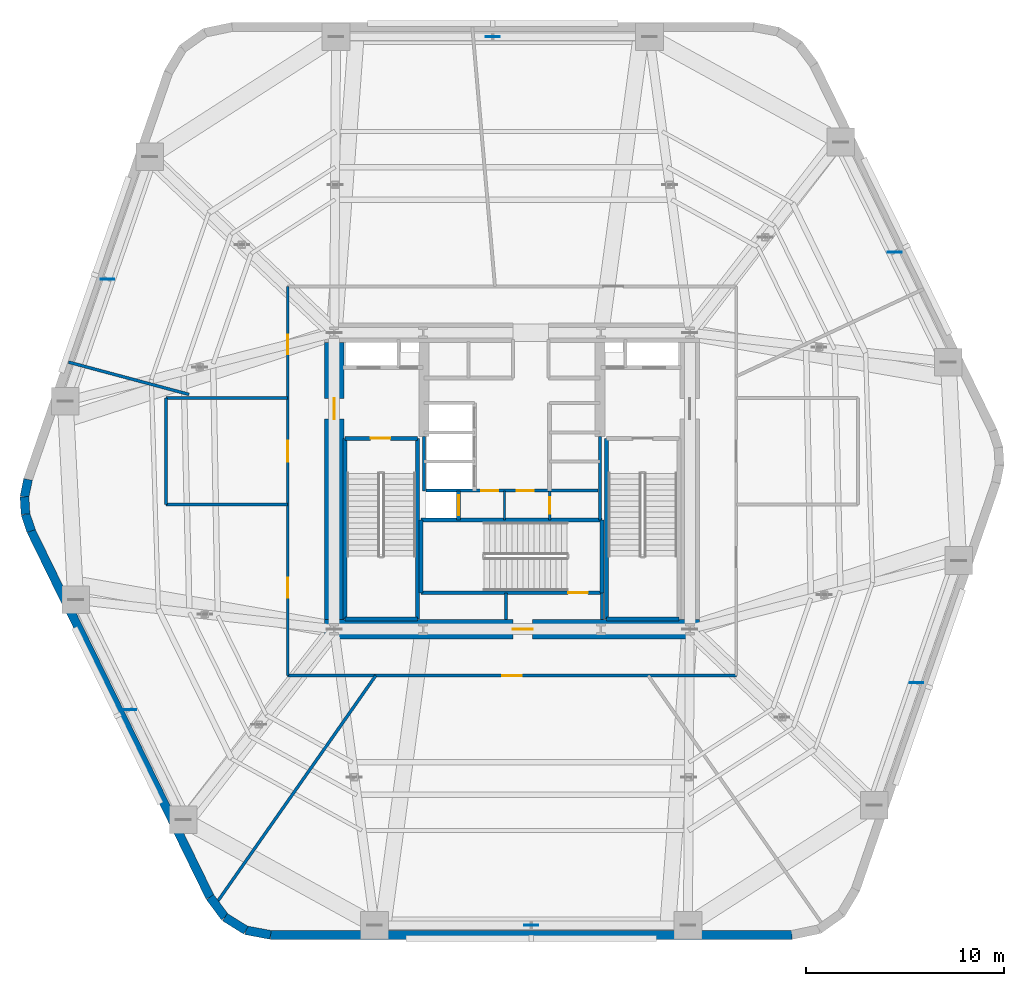
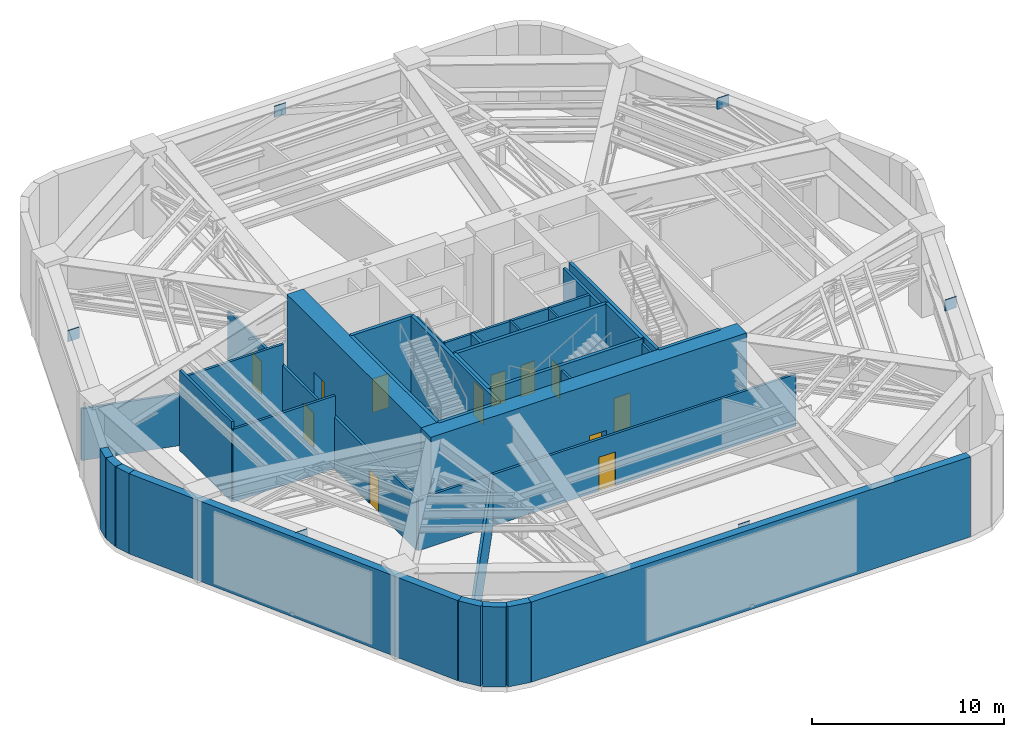
# One storey, part 6 of 11: 35 walls, 12 doors, 6 plates, 12 openings.
"""IFC4 building model written with IfcOpenShell, lengths in metres."""

from ifc_helpers import new_model, si_unit, direction, frame, frame_2d, origin, origin_2d, place, context, subcontext, project, spatial, rectangle, extrude, material, layer, layer_set, type_object, element, fill, save


model = new_model("IFC4")

# Units and contexts
model_context = context("Model", 3, precision=1e-05, world=origin(), true_north=direction((0.0, 1.0)))
body_context = subcontext(model_context, "Body", "Model", "MODEL_VIEW")
ifc_project = project(units=[si_unit("LENGTHUNIT", "METRE"), si_unit("AREAUNIT", "SQUARE_METRE"), si_unit("VOLUMEUNIT", "CUBIC_METRE"), si_unit("PLANEANGLEUNIT", "RADIAN"), si_unit("MASSUNIT", "GRAM", prefix="KILO")], contexts=[model_context])

# Site, building, storey
site_placement = place(None, origin())
site = spatial("IfcSite", under=ifc_project, at=site_placement, CompositionType="ELEMENT")
building_placement = place(site_placement, origin())
building = spatial("IfcBuilding", under=site, at=building_placement, Name="Kilnhurst Terrace Hotel", CompositionType="ELEMENT")
storey_placement = place(building_placement, frame((0.0, 0.0, 86.0)))
storey = spatial("IfcBuildingStorey", under=building, at=storey_placement, Name="L20", CompositionType="ELEMENT", Elevation=86.0)

# Plates
ifc_material_1 = material(Name="Steel ASTM A572 Grade 50", Category="steel")
ifc_layer_1 = layer(ifc_material_1, 0.050048828125, Name="Steel ASTM A572 Grade 50")
ifc_layer_set_1 = layer_set([ifc_layer_1], Name="Steel ASTM A572 Grade 50")
plate_type = type_object("IfcPlateType", Name="PLT-GUSSET-50", PredefinedType="USERDEFINED", material=ifc_layer_set_1)
for number, where, z_axis, x_axis, name in (
    (1, (0.97509765625, -22.47998046875, 4.39990234375), (0.0, 0.0, 1.0), (1.0, 0.0, 0.0), "L20 Belt Truss Apex Gusset Plate 1"),
    (2, (20.47412109375, -10.219970703125, 4.39990234375), (0.0, 0.0, 1.0), (1.0, 0.0, 0.0), "L20 Belt Truss Apex Gusset Plate 2"),
    (3, (19.364013671875, 11.5830078125, 4.39990234375), (0.0, 0.0, 1.0), (1.0, 0.0, 0.0), "L20 Belt Truss Apex Gusset Plate 3"),
    (4, (-0.97509765625, 22.47998046875, 4.39990234375), (0.0, 0.0, 1.0), (1.0, 0.0, 0.0), "L20 Belt Truss Apex Gusset Plate 4"),
    (5, (-20.47412109375, 10.219970703125, 4.39990234375), (0.0, 0.0, 1.0), (1.0, 0.0, 0.0), "L20 Belt Truss Apex Gusset Plate 5"),
    (6, (-19.364013671875, -11.5830078125, 4.39990234375), (0.0, 0.0, 1.0), (1.0, 0.0, 0.0), "L20 Belt Truss Apex Gusset Plate 6"),
):
    element("IfcPlate", number, at=place(storey_placement, frame(where, z_axis=z_axis, x_axis=x_axis)), inside=storey, type_object=plate_type, Name=name, ObjectType="GUSSET_PLATE", PredefinedType="USERDEFINED", context=body_context, shape_type="SweptSolid", body=[
        extrude(rectangle(XDim=0.699951171875, YDim=0.050048828125, at=origin_2d()), origin(), (0.0, 0.0, 1.0), 0.699951171875),
    ])

# Walls
ifc_material_2 = material(Name="Precast concrete C40/50", Category="concrete")
ifc_layer_2 = layer(ifc_material_2, 0.449951171875, Name="Precast concrete C40/50")
ifc_layer_set_2 = layer_set([ifc_layer_2], Name="Precast concrete C40/50")
wall_type_1 = type_object("IfcWallType", Name="WL-BRK-450", PredefinedType="SOLIDWALL", material=ifc_layer_set_2)
wall_1_placement = place(storey_placement, frame((-15.28369140625, -21.0625, 0.0), z_axis=(0.0, 0.0, 1.0), x_axis=(0.597595366449, -0.801797841104, 0.0)))
element("IfcWall", 7, at=wall_1_placement, inside=storey, type_object=wall_type_1, Name="L20 Rounded Corner Brick Wall C1.1", PredefinedType="SOLIDWALL", context=body_context, shape_type="SweptSolid", body=[
    extrude(rectangle(XDim=1.2685546875, YDim=0.449951171875, at=frame_2d((0.63427734375, 0.0))), origin(), (0.0, 0.0, 1.0), 5.10009765625),
])
wall_2_placement = place(storey_placement, frame((-14.525634765625, -22.07958984375, 0.0), z_axis=(0.0, 0.0, 1.0), x_axis=(0.848185203596, -0.529699783275, 0.0)))
element("IfcWall", 8, at=wall_2_placement, inside=storey, type_object=wall_type_1, Name="L20 Rounded Corner Brick Wall C1.2", PredefinedType="SOLIDWALL", context=body_context, shape_type="SweptSolid", body=[
    extrude(rectangle(XDim=1.247314453125, YDim=0.449951171875, at=frame_2d((0.62353515625, 0.0))), origin(), (0.0, 0.0, 1.0), 5.10009765625),
])
wall_3_placement = place(storey_placement, frame((-13.4677734375, -22.740234375, 0.0), z_axis=(0.0, 0.0, 1.0), x_axis=(0.982717174228, -0.185113358451, 0.0)))
element("IfcWall", 9, at=wall_3_placement, inside=storey, type_object=wall_type_1, Name="L20 Rounded Corner Brick Wall C1.3", PredefinedType="SOLIDWALL", context=body_context, shape_type="SweptSolid", body=[
    extrude(rectangle(XDim=1.268798828125, YDim=0.449951171875, at=frame_2d((0.63427734375, 0.0))), origin(), (0.0, 0.0, 1.0), 5.10009765625),
])
wall_4_placement = place(storey_placement, frame((-24.49560546875, 0.07666015625, 0.0), z_axis=(0.0, 0.0, 1.0), x_axis=(-0.199570594521, -0.979883451132, 0.0)))
element("IfcWall", 10, at=wall_4_placement, inside=storey, type_object=wall_type_1, Name="L20 Rounded Corner Brick Wall C6.1", PredefinedType="SOLIDWALL", context=body_context, shape_type="SweptSolid", body=[
    extrude(rectangle(XDim=0.896728515625, YDim=0.449951171875, at=frame_2d((0.4482421875, 0.0))), origin(), (0.0, 0.0, 1.0), 5.10009765625),
])
wall_5_placement = place(storey_placement, frame((-24.674560546875, -0.802001953125, 0.0), z_axis=(0.0, 0.0, 1.0), x_axis=(0.061188874166, -0.998126205286, 0.0)))
element("IfcWall", 11, at=wall_5_placement, inside=storey, type_object=wall_type_1, Name="L20 Rounded Corner Brick Wall C6.2", PredefinedType="SOLIDWALL", context=body_context, shape_type="SweptSolid", body=[
    extrude(rectangle(XDim=0.8818359375, YDim=0.449951171875, at=frame_2d((0.44091796875, 0.0))), origin(), (0.0, 0.0, 1.0), 5.10009765625),
])
wall_6_placement = place(storey_placement, frame((-24.62060546875, -1.68212890625, 0.0), z_axis=(0.0, 0.0, 1.0), x_axis=(0.317697451681, -0.948192137278, 0.0)))
element("IfcWall", 12, at=wall_6_placement, inside=storey, type_object=wall_type_1, Name="L20 Rounded Corner Brick Wall C6.3", PredefinedType="SOLIDWALL", context=body_context, shape_type="SweptSolid", body=[
    extrude(rectangle(XDim=0.896728515625, YDim=0.449951171875, at=frame_2d((0.4482421875, 0.0))), origin(), (0.0, 0.0, 1.0), 5.10009765625),
])
wall_7_placement = place(storey_placement, frame((-12.220947265625, -22.97509765625, 0.0), z_axis=(0.0, 0.0, 1.0), x_axis=(1.0, 0.0, 0.0)))
element("IfcWall", 13, at=wall_7_placement, inside=storey, type_object=wall_type_1, Name="L20 Exterior Brick Facade Wall F1", PredefinedType="SOLIDWALL", context=body_context, shape_type="SweptSolid", body=[
    extrude(rectangle(XDim=26.38916015625, YDim=0.449951171875, at=frame_2d((13.194580078125, 0.0))), origin(), (0.0, 0.0, 1.0), 5.10009765625),
])
wall_8_placement = place(storey_placement, frame((-24.335693359375, -2.532470703125, 0.0), z_axis=(0.0, 0.0, 1.0), x_axis=(0.438931326393, -0.898520612291, 0.0)))
element("IfcWall", 14, at=wall_8_placement, inside=storey, type_object=wall_type_1, Name="L20 Exterior Brick Facade Wall F6", PredefinedType="SOLIDWALL", context=body_context, shape_type="SweptSolid", body=[
    extrude(rectangle(XDim=20.622802734375, YDim=0.449951171875, at=frame_2d((10.3115234375, 0.0))), origin(), (0.0, 0.0, 1.0), 5.10009765625),
])

# Wall, openings, doors
ifc_material_3 = material(Name="Acoustic Double-Gypsum Corridor Partition Assembly")
ifc_layer_3 = layer(ifc_material_3, 0.14990234375, Name="Acoustic Double-Gypsum Corridor Partition Assembly")
ifc_layer_set_3 = layer_set([ifc_layer_3], Name="Acoustic Double-Gypsum Corridor Partition Assembly")
wall_type_2 = type_object("IfcWallType", Name="WL-COR-150", PredefinedType="PARTITIONING", material=ifc_layer_set_3)
wall_9_placement = place(storey_placement, frame((-11.35009765625, -9.85009765625, 0.0), z_axis=(0.0, 0.0, 1.0), x_axis=(0.0, 1.0, 0.0)))
wall_9 = element("IfcWall", 15, at=wall_9_placement, inside=storey, type_object=wall_type_2, Name="L20 Interior Wall WL-L20-COR-01", PredefinedType="PARTITIONING", context=body_context, shape_type="SweptSolid", body=[
    extrude(rectangle(XDim=19.7001953125, YDim=0.14990234375, at=frame_2d((9.85009765625, 0.0))), origin(), (0.0, 0.0, 1.0), 3.2900390625),
])
opening_1_placement = place(wall_9_placement, frame((10.824951171875, 0.0, 0.0)))
opening_1 = element("IfcOpeningElement", 16, at=opening_1_placement, cuts=wall_9, Name="Opening D-90A", PredefinedType="OPENING", context=body_context, shape_type="SweptSolid", body=[
    extrude(rectangle(XDim=1.050048828125, YDim=2.14990234375, at=frame_2d((0.52490234375, 1.074951171875))), frame((0.0, 0.0849609375, 0.0), z_axis=(0.0, -1.0, 0.0), x_axis=(1.0, 0.0, 0.0)), (0.0, 0.0, 1.0), 0.169921875),
])
opening_2_placement = place(wall_9_placement, frame((16.2548828125, 0.0, 0.0)))
opening_2 = element("IfcOpeningElement", 17, at=opening_2_placement, cuts=wall_9, Name="Opening D-90B", PredefinedType="OPENING", context=body_context, shape_type="SweptSolid", body=[
    extrude(rectangle(XDim=1.0, YDim=2.14990234375, at=frame_2d((0.5, 1.074951171875))), frame((0.0, 0.0849609375, 0.0), z_axis=(0.0, -1.0, 0.0), x_axis=(1.0, 0.0, 0.0)), (0.0, 0.0, 1.0), 0.169921875),
])
opening_3_placement = place(wall_9_placement, frame((3.945068359375, 0.0, 0.0)))
opening_3 = element("IfcOpeningElement", 18, at=opening_3_placement, cuts=wall_9, Name="Opening D-90B", PredefinedType="OPENING", context=body_context, shape_type="SweptSolid", body=[
    extrude(rectangle(XDim=1.0, YDim=2.14990234375, at=frame_2d((0.5, 1.074951171875))), frame((0.0, 0.0849609375, 0.0), z_axis=(0.0, -1.0, 0.0), x_axis=(1.0, 0.0, 0.0)), (0.0, 0.0, 1.0), 0.169921875),
])
ifc_material_4 = material(Name="Painted Hollow Metal Steel ASTM A36 Fire Door", Category="steel")
door_type_1 = type_object("IfcDoorType", Name="DR-FD90-1000", OperationType="NOTDEFINED", PredefinedType="DOOR", material=ifc_material_4)
door_1_placement = place(opening_2_placement, origin())
door_1 = element("IfcDoor", 19, at=door_1_placement, inside=storey, type_object=door_type_1, Name="L20 Air Handling and Smoke Control Mechanical Room Door", OperationType="SINGLE_SWING_RIGHT", OverallHeight=2.14990234375, OverallWidth=1.0, PredefinedType="DOOR", context=body_context, shape_type="SweptSolid", body=[
    extrude(rectangle(XDim=1.0, YDim=2.14990234375, at=frame_2d((0.5, 1.074951171875))), frame((0.0, 0.02490234375, 0.0), z_axis=(0.0, -1.0, 0.0), x_axis=(1.0, 0.0, 0.0)), (0.0, 0.0, 1.0), 0.050048828125),
])
fill(opening_2, door_1)
door_2_placement = place(opening_3_placement, origin())
door_2 = element("IfcDoor", 20, at=door_2_placement, inside=storey, type_object=door_type_1, Name="L20 Domestic Water Booster and Fire Pump Room Door", OperationType="SINGLE_SWING_LEFT", OverallHeight=2.14990234375, OverallWidth=1.0, PredefinedType="DOOR", context=body_context, shape_type="SweptSolid", body=[
    extrude(rectangle(XDim=1.0, YDim=2.14990234375, at=frame_2d((0.5, 1.074951171875))), frame((0.0, 0.02490234375, 0.0), z_axis=(0.0, -1.0, 0.0), x_axis=(1.0, 0.0, 0.0)), (0.0, 0.0, 1.0), 0.050048828125),
])
fill(opening_3, door_2)
door_type_2 = type_object("IfcDoorType", Name="DR-FD90-1050", OperationType="NOTDEFINED", PredefinedType="DOOR", material=ifc_material_4)
door_3_placement = place(opening_1_placement, origin())
door_3 = element("IfcDoor", 21, at=door_3_placement, inside=storey, type_object=door_type_2, Name="L20 West Area of Refuge Door", OperationType="SINGLE_SWING_LEFT", OverallHeight=2.14990234375, OverallWidth=1.050048828125, PredefinedType="DOOR", context=body_context, shape_type="SweptSolid", body=[
    extrude(rectangle(XDim=1.050048828125, YDim=2.14990234375, at=frame_2d((0.52490234375, 1.074951171875))), frame((0.0, 0.02490234375, 0.0), z_axis=(0.0, -1.0, 0.0), x_axis=(1.0, 0.0, 0.0)), (0.0, 0.0, 1.0), 0.050048828125),
])
fill(opening_1, door_3)

# Wall, opening, door
wall_10_placement = place(storey_placement, frame((11.35009765625, -9.85009765625, 0.0), z_axis=(0.0, 0.0, 1.0), x_axis=(-1.0, 0.0, 0.0)))
wall_10 = element("IfcWall", 22, at=wall_10_placement, inside=storey, type_object=wall_type_2, Name="L20 Interior Wall WL-L20-COR-04", PredefinedType="PARTITIONING", context=body_context, shape_type="SweptSolid", body=[
    extrude(rectangle(XDim=22.7001953125, YDim=0.14990234375, at=frame_2d((11.35009765625, 0.0))), origin(), (0.0, 0.0, 1.0), 3.2900390625),
])
opening_4_placement = place(wall_10_placement, frame((10.85009765625, 0.0, 0.0)))
opening_4 = element("IfcOpeningElement", 23, at=opening_4_placement, cuts=wall_10, Name="Opening D-90B", PredefinedType="OPENING", context=body_context, shape_type="SweptSolid", body=[
    extrude(rectangle(XDim=1.0, YDim=2.14990234375, at=frame_2d((0.5, 1.074951171875))), frame((0.0, 0.0849609375, 0.0), z_axis=(0.0, -1.0, 0.0), x_axis=(1.0, 0.0, 0.0)), (0.0, 0.0, 1.0), 0.169921875),
])
door_4_placement = place(opening_4_placement, origin())
door_4 = element("IfcDoor", 24, at=door_4_placement, inside=storey, type_object=door_type_1, Name="L20 High Rise Electrical Switchgear and Transformer Room Door", OperationType="SINGLE_SWING_RIGHT", OverallHeight=2.14990234375, OverallWidth=1.0, PredefinedType="DOOR", context=body_context, shape_type="SweptSolid", body=[
    extrude(rectangle(XDim=1.0, YDim=2.14990234375, at=frame_2d((0.5, 1.074951171875))), frame((0.0, 0.02490234375, 0.0), z_axis=(0.0, -1.0, 0.0), x_axis=(1.0, 0.0, 0.0)), (0.0, 0.0, 1.0), 0.050048828125),
])
fill(opening_4, door_4)

# Walls
for number, where, z_axis, x_axis, name in (
    (25, (-17.5, -1.199951171875, 0.0), (0.0, 0.0, 1.0), (1.0, 0.0, 0.0), "L20 Interior Wall WL-L20-REF-W-S"),
    (26, (-17.5, 4.199951171875, 0.0), (0.0, 0.0, 1.0), (1.0, 0.0, 0.0), "L20 Interior Wall WL-L20-REF-W-N"),
):
    element("IfcWall", number, at=place(storey_placement, frame(where, z_axis=z_axis, x_axis=x_axis)), inside=storey, type_object=wall_type_2, Name=name, PredefinedType="PARTITIONING", context=body_context, shape_type="SweptSolid", body=[
        extrude(rectangle(XDim=6.14990234375, YDim=0.14990234375, at=frame_2d((3.074951171875, 0.0))), origin(), (0.0, 0.0, 1.0), 4.62646484375),
    ])
wall_11_placement = place(storey_placement, frame((-17.5, -1.199951171875, 0.0), z_axis=(0.0, 0.0, 1.0), x_axis=(0.0, 1.0, 0.0)))
element("IfcWall", 27, at=wall_11_placement, inside=storey, type_object=wall_type_2, Name="L20 Interior Wall WL-L20-REF-W-OUT", PredefinedType="PARTITIONING", context=body_context, shape_type="SweptSolid", body=[
    extrude(rectangle(XDim=5.39990234375, YDim=0.14990234375, at=frame_2d((2.699951171875, 0.0))), origin(), (0.0, 0.0, 1.0), 5.10009765625),
])
wall_12_placement = place(storey_placement, frame((-16.346435546875, 4.3798828125, 0.0), z_axis=(0.0, 0.0, 1.0), x_axis=(-0.965923723189, 0.258826893852, 0.0)))
element("IfcWall", 28, at=wall_12_placement, inside=storey, type_object=wall_type_2, Name="L20 Interior Wall WL-L20-PDIV-3-1", PredefinedType="PARTITIONING", context=body_context, shape_type="SweptSolid", body=[
    extrude(rectangle(XDim=6.316162109375, YDim=0.14990234375, at=frame_2d((3.158203125, 0.0))), origin(), (0.0, 0.0, 1.0), 3.2900390625),
])
wall_13_placement = place(storey_placement, frame((-6.89697265625, -9.85009765625, 0.0), z_axis=(0.0, 0.0, 1.0), x_axis=(-0.573584304237, -0.81914653508, 0.0)))
element("IfcWall", 29, at=wall_13_placement, inside=storey, type_object=wall_type_2, Name="L20 Interior Wall WL-L20-PDIV-4-1", PredefinedType="PARTITIONING", context=body_context, shape_type="SweptSolid", body=[
    extrude(rectangle(XDim=13.9716796875, YDim=0.14990234375, at=frame_2d((6.98583984375, 0.0))), origin(), (0.0, 0.0, 1.0), 3.2900390625),
])

# Wall, opening, door
ifc_material_5 = material(Name="Concrete C80/95", Category="concrete")
ifc_layer_4 = layer(ifc_material_5, 1.0, Name="Concrete C80/95")
ifc_layer_set_4 = layer_set([ifc_layer_4], Name="Concrete C80/95")
wall_type_3 = type_object("IfcWallType", Name="WL-CORE-1000", PredefinedType="SHEAR", material=ifc_layer_set_4)
wall_14_placement = place(storey_placement, frame((-9.5, -7.5, 0.0), z_axis=(0.0, 0.0, 1.0), x_axis=(1.0, 0.0, 0.0)))
wall_14 = element("IfcWall", 30, at=wall_14_placement, inside=storey, type_object=wall_type_3, Name="L20 Core South Shear Wall", PredefinedType="SHEAR", context=body_context, shape_type="SweptSolid", body=[
    extrude(rectangle(XDim=19.0, YDim=1.0, at=frame_2d((9.5, 0.0))), origin(), (0.0, 0.0, 1.0), 5.39990234375),
])
opening_5_placement = place(wall_14_placement, frame((9.550048828125, 0.0, 0.0)))
opening_5 = element("IfcOpeningElement", 31, at=opening_5_placement, cuts=wall_14, Name="Opening D-90B", PredefinedType="OPENING", context=body_context, shape_type="SweptSolid", body=[
    extrude(rectangle(XDim=1.0, YDim=2.14990234375, at=frame_2d((0.5, 1.074951171875))), frame((0.0, 0.510009765625, 0.0), z_axis=(0.0, -1.0, 0.0), x_axis=(1.0, 0.0, 0.0)), (0.0, 0.0, 1.0), 1.02001953125),
])
door_5_placement = place(opening_5_placement, origin())
door_5 = element("IfcDoor", 32, at=door_5_placement, inside=storey, type_object=door_type_1, Name="L20 Stair ST-3 Corridor Door", OperationType="SINGLE_SWING_RIGHT", OverallHeight=2.14990234375, OverallWidth=1.0, PredefinedType="DOOR", context=body_context, shape_type="SweptSolid", body=[
    extrude(rectangle(XDim=1.0, YDim=2.14990234375, at=frame_2d((0.5, 1.074951171875))), frame((0.0, 0.02490234375, 0.0), z_axis=(0.0, -1.0, 0.0), x_axis=(1.0, 0.0, 0.0)), (0.0, 0.0, 1.0), 0.050048828125),
])
fill(opening_5, door_5)

wall_15_placement = place(storey_placement, frame((-9.0, -7.0, 0.0), z_axis=(0.0, 0.0, 1.0), x_axis=(0.0, 1.0, 0.0)))
wall_15 = element("IfcWall", 33, at=wall_15_placement, inside=storey, type_object=wall_type_3, Name="L20 Core West Shear Wall", PredefinedType="SHEAR", context=body_context, shape_type="SweptSolid", body=[
    extrude(rectangle(XDim=14.0, YDim=1.0, at=frame_2d((7.0, 0.0))), origin(), (0.0, 0.0, 1.0), 5.39990234375),
])
opening_6_placement = place(wall_15_placement, frame((10.125, 0.0, 0.0)))
opening_6 = element("IfcOpeningElement", 34, at=opening_6_placement, cuts=wall_15, Name="Opening D-90A", PredefinedType="OPENING", context=body_context, shape_type="SweptSolid", body=[
    extrude(rectangle(XDim=1.050048828125, YDim=2.14990234375, at=frame_2d((0.52490234375, 1.074951171875))), frame((0.0, 0.510009765625, 0.0), z_axis=(0.0, -1.0, 0.0), x_axis=(1.0, 0.0, 0.0)), (0.0, 0.0, 1.0), 1.02001953125),
])
door_6_placement = place(opening_6_placement, origin())
door_6 = element("IfcDoor", 35, at=door_6_placement, inside=storey, type_object=door_type_2, Name="L20 West Firefighting Lobby Door", OperationType="SINGLE_SWING_RIGHT", OverallHeight=2.14990234375, OverallWidth=1.050048828125, PredefinedType="DOOR", context=body_context, shape_type="SweptSolid", body=[
    extrude(rectangle(XDim=1.050048828125, YDim=2.14990234375, at=frame_2d((0.52490234375, 1.074951171875))), frame((0.0, 0.02490234375, 0.0), z_axis=(0.0, -1.0, 0.0), x_axis=(1.0, 0.0, 0.0)), (0.0, 0.0, 1.0), 0.050048828125),
])
fill(opening_6, door_6)

# Wall
ifc_material_6 = material(Name="120 mm Moisture-Resistant Tile-Backed Bathroom Partition")
ifc_layer_5 = layer(ifc_material_6, 0.1201171875, Name="120 mm Moisture-Resistant Tile-Backed Bathroom Partition")
ifc_layer_set_5 = layer_set([ifc_layer_5], Name="120 mm Moisture-Resistant Tile-Backed Bathroom Partition")
wall_type_4 = type_object("IfcWallType", Name="WL-PART-120", PredefinedType="PARTITIONING", material=ifc_layer_set_5)
wall_16_placement = place(storey_placement, frame((-0.3798828125, -1.971923828125, 0.0), z_axis=(0.0, 0.0, 1.0), x_axis=(0.0, 1.0, 0.0)))
element("IfcWall", 36, at=wall_16_placement, inside=storey, type_object=wall_type_4, Name="L20 Interior Wall WL-L20-BOH-C1", PredefinedType="PARTITIONING", context=body_context, shape_type="SweptSolid", body=[
    extrude(rectangle(XDim=1.471923828125, YDim=0.1201171875, at=frame_2d((0.73583984375, 0.0))), origin(), (0.0, 0.0, 1.0), 5.10009765625),
])

# Wall, opening, door
wall_17_placement = place(storey_placement, frame((1.919921875, -1.971923828125, 0.0), z_axis=(0.0, 0.0, 1.0), x_axis=(0.0, 1.0, 0.0)))
wall_17 = element("IfcWall", 37, at=wall_17_placement, inside=storey, type_object=wall_type_4, Name="L20 Interior Wall WL-L20-BOH-C2", PredefinedType="PARTITIONING", context=body_context, shape_type="SweptSolid", body=[
    extrude(rectangle(XDim=1.471923828125, YDim=0.1201171875, at=frame_2d((0.73583984375, 0.0))), origin(), (0.0, 0.0, 1.0), 5.10009765625),
])
opening_7_placement = place(wall_17_placement, frame((0.300048828125, 0.0, 0.0)))
opening_7 = element("IfcOpeningElement", 38, at=opening_7_placement, cuts=wall_17, Name="Opening D-08A", PredefinedType="OPENING", context=body_context, shape_type="SweptSolid", body=[
    extrude(rectangle(XDim=0.85009765625, YDim=2.030029296875, at=frame_2d((0.425048828125, 1.01513671875))), frame((0.0, 0.070068359375, 0.0), z_axis=(0.0, -1.0, 0.0), x_axis=(1.0, 0.0, 0.0)), (0.0, 0.0, 1.0), 0.14013671875),
])
ifc_material_7 = material(Name="Moisture-Resistant Lacquered En-suite Bathroom Door")
door_type_3 = type_object("IfcDoorType", Name="DR-INT-850", OperationType="NOTDEFINED", PredefinedType="DOOR", material=ifc_material_7)
door_7_placement = place(opening_7_placement, origin())
door_7 = element("IfcDoor", 39, at=door_7_placement, inside=storey, type_object=door_type_3, Name="L20 Staff Restroom Door", OperationType="SINGLE_SWING_RIGHT", OverallHeight=2.030029296875, OverallWidth=0.85009765625, PredefinedType="DOOR", context=body_context, shape_type="SweptSolid", body=[
    extrude(rectangle(XDim=0.85009765625, YDim=2.030029296875, at=frame_2d((0.425048828125, 1.01513671875))), frame((0.0, 0.02490234375, 0.0), z_axis=(0.0, -1.0, 0.0), x_axis=(1.0, 0.0, 0.0)), (0.0, 0.0, 1.0), 0.050048828125),
])
fill(opening_7, door_7)

# Walls
ifc_material_8 = material(Name="Fire-Rated Gypsum Shaftliner Assembly")
ifc_layer_6 = layer(ifc_material_8, 0.14990234375, Name="Fire-Rated Gypsum Shaftliner Assembly")
ifc_layer_set_6 = layer_set([ifc_layer_6], Name="Fire-Rated Gypsum Shaftliner Assembly")
wall_type_5 = type_object("IfcWallType", Name="WL-SHAFT-150", PredefinedType="PARTITIONING", material=ifc_layer_set_6)
for number, where, z_axis, x_axis, name in (
    (40, (-0.300048828125, -7.02001953125, 0.0), (0.0, 0.0, 1.0), (0.0, 1.0, 0.0), "L20 Interior Wall WL-L20-ST3-PSGW"),
    (41, (4.55810546875, -7.02001953125, 0.0), (0.0, 0.0, 1.0), (0.0, 1.0, 0.0), "L20 Interior Wall WL-L20-ST3-PSGE"),
):
    element("IfcWall", number, at=place(storey_placement, frame(where, z_axis=z_axis, x_axis=x_axis)), inside=storey, type_object=wall_type_5, Name=name, PredefinedType="PARTITIONING", context=body_context, shape_type="SweptSolid", body=[
        extrude(rectangle(XDim=1.362060546875, YDim=0.14990234375, at=frame_2d((0.68115234375, 0.0))), origin(), (0.0, 0.0, 1.0), 5.10009765625),
    ])
wall_18_placement = place(storey_placement, frame((-4.449951171875, -0.5, 0.0), z_axis=(0.0, 0.0, 1.0), x_axis=(0.0, 1.0, 0.0)))
element("IfcWall", 42, at=wall_18_placement, inside=storey, type_object=wall_type_5, Name="L20 Interior Wall WL-L20-XLOB-W", PredefinedType="PARTITIONING", context=body_context, shape_type="SweptSolid", body=[
    extrude(rectangle(XDim=2.75, YDim=0.14990234375, at=frame_2d((1.375, 0.0))), origin(), (0.0, 0.0, 1.0), 5.10009765625),
])
wall_19_placement = place(storey_placement, frame((4.449951171875, -1.971923828125, 0.0), z_axis=(0.0, 0.0, 1.0), x_axis=(0.0, 1.0, 0.0)))
element("IfcWall", 43, at=wall_19_placement, inside=storey, type_object=wall_type_5, Name="L20 Interior Wall WL-L20-XLOB-E", PredefinedType="PARTITIONING", context=body_context, shape_type="SweptSolid", body=[
    extrude(rectangle(XDim=4.221923828125, YDim=0.14990234375, at=frame_2d((2.11083984375, 0.0))), origin(), (0.0, 0.0, 1.0), 5.10009765625),
])

# Wall, openings, doors
wall_20_placement = place(storey_placement, frame((-4.360107421875, -0.489990234375, 0.0), z_axis=(0.0, 0.0, 1.0), x_axis=(1.0, 0.0, 0.0)))
wall_20 = element("IfcWall", 44, at=wall_20_placement, inside=storey, type_object=wall_type_5, Name="L20 Interior Wall WL-L20-BOH-N", PredefinedType="PARTITIONING", context=body_context, shape_type="SweptSolid", body=[
    extrude(rectangle(XDim=8.72021484375, YDim=0.14990234375, at=frame_2d((4.360107421875, 0.0))), origin(), (0.0, 0.0, 1.0), 5.10009765625),
])
opening_8_placement = place(wall_20_placement, frame((2.81005859375, 0.0, 0.0)))
opening_8 = element("IfcOpeningElement", 45, at=opening_8_placement, cuts=wall_20, Name="Opening D-60D", PredefinedType="OPENING", context=body_context, shape_type="SweptSolid", body=[
    extrude(rectangle(XDim=0.85009765625, YDim=2.030029296875, at=frame_2d((0.425048828125, 1.01513671875))), frame((0.0, 0.0849609375, 0.0), z_axis=(0.0, -1.0, 0.0), x_axis=(1.0, 0.0, 0.0)), (0.0, 0.0, 1.0), 0.169921875),
])
opening_9_placement = place(wall_20_placement, frame((4.610107421875, 0.0, 0.0)))
opening_9 = element("IfcOpeningElement", 46, at=opening_9_placement, cuts=wall_20, Name="Opening D-60D", PredefinedType="OPENING", context=body_context, shape_type="SweptSolid", body=[
    extrude(rectangle(XDim=0.85009765625, YDim=2.030029296875, at=frame_2d((0.425048828125, 1.01513671875))), frame((0.0, 0.0849609375, 0.0), z_axis=(0.0, -1.0, 0.0), x_axis=(1.0, 0.0, 0.0)), (0.0, 0.0, 1.0), 0.169921875),
])
ifc_material_9 = material(Name="Painted Hollow Metal Steel ASTM A36 Riser Door", Category="steel")
door_type_4 = type_object("IfcDoorType", Name="DR-FD60-850", OperationType="NOTDEFINED", PredefinedType="DOOR", material=ifc_material_9)
door_8_placement = place(opening_8_placement, origin())
door_8 = element("IfcDoor", 47, at=door_8_placement, inside=storey, type_object=door_type_4, Name="L20 Housekeeping Station Door", OperationType="SINGLE_SWING_LEFT", OverallHeight=2.030029296875, OverallWidth=0.85009765625, PredefinedType="DOOR", context=body_context, shape_type="SweptSolid", body=[
    extrude(rectangle(XDim=0.85009765625, YDim=2.030029296875, at=frame_2d((0.425048828125, 1.01513671875))), frame((0.0, 0.02490234375, 0.0), z_axis=(0.0, -1.0, 0.0), x_axis=(1.0, 0.0, 0.0)), (0.0, 0.0, 1.0), 0.050048828125),
])
fill(opening_8, door_8)
door_9_placement = place(opening_9_placement, origin())
door_9 = element("IfcDoor", 48, at=door_9_placement, inside=storey, type_object=door_type_4, Name="L20 Beverage Pantry Door", OperationType="SINGLE_SWING_RIGHT", OverallHeight=2.030029296875, OverallWidth=0.85009765625, PredefinedType="DOOR", context=body_context, shape_type="SweptSolid", body=[
    extrude(rectangle(XDim=0.85009765625, YDim=2.030029296875, at=frame_2d((0.425048828125, 1.01513671875))), frame((0.0, 0.02490234375, 0.0), z_axis=(0.0, -1.0, 0.0), x_axis=(1.0, 0.0, 0.0)), (0.0, 0.0, 1.0), 0.050048828125),
])
fill(opening_9, door_9)

# Wall, opening, door
ifc_material_10 = material(Name="Autoclaved Aerated Concrete C30/37 and Gypsum Shaft Assembly", Category="concrete")
ifc_layer_7 = layer(ifc_material_10, 0.199951171875, Name="Autoclaved Aerated Concrete C30/37 and Gypsum Shaft Assembly")
ifc_layer_set_7 = layer_set([ifc_layer_7], Name="Autoclaved Aerated Concrete C30/37 and Gypsum Shaft Assembly")
wall_type_6 = type_object("IfcWallType", Name="WL-SHAFT-200", PredefinedType="PARTITIONING", material=ifc_layer_set_7)
wall_21_placement = place(storey_placement, frame((-2.699951171875, -1.971923828125, 0.0), z_axis=(0.0, 0.0, 1.0), x_axis=(0.0, 1.0, 0.0)))
wall_21 = element("IfcWall", 49, at=wall_21_placement, inside=storey, type_object=wall_type_6, Name="L20 Interior Wall WL-L20-SRV1-E", PredefinedType="PARTITIONING", context=body_context, shape_type="SweptSolid", body=[
    extrude(rectangle(XDim=1.471923828125, YDim=0.199951171875, at=frame_2d((0.73583984375, 0.0))), origin(), (0.0, 0.0, 1.0), 5.10009765625),
])
opening_10_placement = place(wall_21_placement, frame((0.239990234375, 0.0, 0.0)))
opening_10 = element("IfcOpeningElement", 50, at=opening_10_placement, cuts=wall_21, Name="Opening LD-SV", PredefinedType="OPENING", context=body_context, shape_type="SweptSolid", body=[
    extrude(rectangle(XDim=1.0, YDim=2.199951171875, at=frame_2d((0.5, 1.10009765625))), frame((0.0, 0.10986328125, 0.0), z_axis=(0.0, -1.0, 0.0), x_axis=(1.0, 0.0, 0.0)), (0.0, 0.0, 1.0), 0.219970703125),
])
ifc_material_11 = material(Name="Bronze-Anodized Stainless Steel AISI 316L Sliding Door", Category="steel")
door_type_5 = type_object("IfcDoorType", Name="DR-LIFT-1000", OperationType="NOTDEFINED", PredefinedType="DOOR", material=ifc_material_11)
door_10_placement = place(opening_10_placement, origin())
door_10 = element("IfcDoor", 51, at=door_10_placement, inside=storey, type_object=door_type_5, Name="L20 Service Lift SRV-1 Landing Door", OperationType="SLIDING_TO_LEFT", OverallHeight=2.199951171875, OverallWidth=1.0, PredefinedType="DOOR", context=body_context, shape_type="SweptSolid", body=[
    extrude(rectangle(XDim=1.0, YDim=2.199951171875, at=frame_2d((0.5, 1.10009765625))), frame((0.0, 0.02490234375, 0.0), z_axis=(0.0, -1.0, 0.0), x_axis=(1.0, 0.0, 0.0)), (0.0, 0.0, 1.0), 0.050048828125),
])
fill(opening_10, door_10)

# Walls
ifc_material_12 = material(Name="Concrete C50/60", Category="concrete")
ifc_layer_8 = layer(ifc_material_12, 0.199951171875, Name="Concrete C50/60")
ifc_layer_set_8 = layer_set([ifc_layer_8], Name="Concrete C50/60")
wall_type_7 = type_object("IfcWallType", Name="WL-STAIR-RC-200", PredefinedType="SHEAR", material=ifc_layer_set_8)
for number, where, z_axis, x_axis, name in (
    (52, (-8.4580078125, -6.985107421875, 0.0), (0.0, 0.0, 1.0), (0.0, 1.0, 0.0), "L20 Structural Stair Shaft Wall WL-L20-ST1-W"),
    (53, (-4.77197265625, -6.985107421875, 0.0), (0.0, 0.0, 1.0), (0.0, 1.0, 0.0), "L20 Structural Stair Shaft Wall WL-L20-ST1-E"),
):
    element("IfcWall", number, at=place(storey_placement, frame(where, z_axis=z_axis, x_axis=x_axis)), inside=storey, type_object=wall_type_7, Name=name, PredefinedType="SHEAR", context=body_context, shape_type="SweptSolid", body=[
        extrude(rectangle(XDim=9.14306640625, YDim=0.199951171875, at=frame_2d((4.571533203125, 0.0))), origin(), (0.0, 0.0, 1.0), 5.39990234375),
    ])
wall_22_placement = place(storey_placement, frame((-8.4580078125, -6.985107421875, 0.0), z_axis=(0.0, 0.0, 1.0), x_axis=(1.0, 0.0, 0.0)))
element("IfcWall", 54, at=wall_22_placement, inside=storey, type_object=wall_type_7, Name="L20 Structural Stair Shaft Wall WL-L20-ST1-S", PredefinedType="SHEAR", context=body_context, shape_type="SweptSolid", body=[
    extrude(rectangle(XDim=3.68603515625, YDim=0.199951171875, at=frame_2d((1.843017578125, 0.0))), origin(), (0.0, 0.0, 1.0), 5.39990234375),
])

# Wall, opening, door
wall_23_placement = place(storey_placement, frame((-8.4580078125, 2.157958984375, 0.0), z_axis=(0.0, 0.0, 1.0), x_axis=(1.0, 0.0, 0.0)))
wall_23 = element("IfcWall", 55, at=wall_23_placement, inside=storey, type_object=wall_type_7, Name="L20 Structural Stair Shaft Wall WL-L20-ST1-N", PredefinedType="SHEAR", context=body_context, shape_type="SweptSolid", body=[
    extrude(rectangle(XDim=3.68603515625, YDim=0.199951171875, at=frame_2d((1.843017578125, 0.0))), origin(), (0.0, 0.0, 1.0), 5.39990234375),
])
opening_11_placement = place(wall_23_placement, frame((1.300048828125, 0.0, 0.0)))
opening_11 = element("IfcOpeningElement", 56, at=opening_11_placement, cuts=wall_23, Name="Opening D-90B", PredefinedType="OPENING", context=body_context, shape_type="SweptSolid", body=[
    extrude(rectangle(XDim=1.0, YDim=2.14990234375, at=frame_2d((0.5, 1.074951171875))), frame((0.0, 0.10986328125, 0.0), z_axis=(0.0, -1.0, 0.0), x_axis=(1.0, 0.0, 0.0)), (0.0, 0.0, 1.0), 0.219970703125),
])
door_11_placement = place(opening_11_placement, origin())
door_11 = element("IfcDoor", 57, at=door_11_placement, inside=storey, type_object=door_type_1, Name="L20 Stair ST-1 Door", OperationType="SINGLE_SWING_LEFT", OverallHeight=2.14990234375, OverallWidth=1.0, PredefinedType="DOOR", context=body_context, shape_type="SweptSolid", body=[
    extrude(rectangle(XDim=1.0, YDim=2.14990234375, at=frame_2d((0.5, 1.074951171875))), frame((0.0, 0.02490234375, 0.0), z_axis=(0.0, -1.0, 0.0), x_axis=(1.0, 0.0, 0.0)), (0.0, 0.0, 1.0), 0.050048828125),
])
fill(opening_11, door_11)

# Walls
wall_24_placement = place(storey_placement, frame((4.77197265625, -6.985107421875, 0.0), z_axis=(0.0, 0.0, 1.0), x_axis=(0.0, 1.0, 0.0)))
element("IfcWall", 58, at=wall_24_placement, inside=storey, type_object=wall_type_7, Name="L20 Structural Stair Shaft Wall WL-L20-ST2-W", PredefinedType="SHEAR", context=body_context, shape_type="SweptSolid", body=[
    extrude(rectangle(XDim=9.14306640625, YDim=0.199951171875, at=frame_2d((4.571533203125, 0.0))), origin(), (0.0, 0.0, 1.0), 5.39990234375),
])
for number, where, z_axis, x_axis, name in (
    (59, (4.77197265625, -6.985107421875, 0.0), (0.0, 0.0, 1.0), (1.0, 0.0, 0.0), "L20 Structural Stair Shaft Wall WL-L20-ST2-S"),
    (60, (-4.60791015625, -5.657958984375, 0.0), (0.0, 0.0, 1.0), (0.0, 1.0, 0.0), "L20 Structural Stair Shaft Wall WL-L20-ST3-W"),
):
    element("IfcWall", number, at=place(storey_placement, frame(where, z_axis=z_axis, x_axis=x_axis)), inside=storey, type_object=wall_type_7, Name=name, PredefinedType="SHEAR", context=body_context, shape_type="SweptSolid", body=[
        extrude(rectangle(XDim=3.68603515625, YDim=0.199951171875, at=frame_2d((1.843017578125, 0.0))), origin(), (0.0, 0.0, 1.0), 5.39990234375),
    ])

# Wall, opening, door
wall_25_placement = place(storey_placement, frame((-4.60791015625, -5.657958984375, 0.0), z_axis=(0.0, 0.0, 1.0), x_axis=(1.0, 0.0, 0.0)))
wall_25 = element("IfcWall", 61, at=wall_25_placement, inside=storey, type_object=wall_type_7, Name="L20 Structural Stair Shaft Wall WL-L20-ST3-S", PredefinedType="SHEAR", context=body_context, shape_type="SweptSolid", body=[
    extrude(rectangle(XDim=9.166015625, YDim=0.199951171875, at=frame_2d((4.5830078125, 0.0))), origin(), (0.0, 0.0, 1.0), 5.39990234375),
])
opening_12_placement = place(wall_25_placement, frame((7.449951171875, 0.0, 0.0)))
opening_12 = element("IfcOpeningElement", 62, at=opening_12_placement, cuts=wall_25, Name="Opening D-90B", PredefinedType="OPENING", context=body_context, shape_type="SweptSolid", body=[
    extrude(rectangle(XDim=1.0, YDim=2.14990234375, at=frame_2d((0.5, 1.074951171875))), frame((0.0, 0.10986328125, 0.0), z_axis=(0.0, -1.0, 0.0), x_axis=(1.0, 0.0, 0.0)), (0.0, 0.0, 1.0), 0.219970703125),
])
door_12_placement = place(opening_12_placement, origin())
door_12 = element("IfcDoor", 63, at=door_12_placement, inside=storey, type_object=door_type_1, Name="L20 Stair ST-3 Shaft Door", OperationType="SINGLE_SWING_LEFT", OverallHeight=2.14990234375, OverallWidth=1.0, PredefinedType="DOOR", context=body_context, shape_type="SweptSolid", body=[
    extrude(rectangle(XDim=1.0, YDim=2.14990234375, at=frame_2d((0.5, 1.074951171875))), frame((0.0, 0.02490234375, 0.0), z_axis=(0.0, -1.0, 0.0), x_axis=(1.0, 0.0, 0.0)), (0.0, 0.0, 1.0), 0.050048828125),
])
fill(opening_12, door_12)

# Walls
wall_26_placement = place(storey_placement, frame((-4.60791015625, -1.971923828125, 0.0), z_axis=(0.0, 0.0, 1.0), x_axis=(1.0, 0.0, 0.0)))
element("IfcWall", 64, at=wall_26_placement, inside=storey, type_object=wall_type_7, Name="L20 Structural Stair Shaft Wall WL-L20-ST3-N", PredefinedType="SHEAR", context=body_context, shape_type="SweptSolid", body=[
    extrude(rectangle(XDim=9.166015625, YDim=0.199951171875, at=frame_2d((4.5830078125, 0.0))), origin(), (0.0, 0.0, 1.0), 5.39990234375),
])
wall_27_placement = place(storey_placement, frame((4.55810546875, -5.657958984375, 0.0), z_axis=(0.0, 0.0, 1.0), x_axis=(0.0, 1.0, 0.0)))
element("IfcWall", 65, at=wall_27_placement, inside=storey, type_object=wall_type_7, Name="L20 Structural Stair Shaft Wall WL-L20-ST3-E", PredefinedType="SHEAR", context=body_context, shape_type="SweptSolid", body=[
    extrude(rectangle(XDim=3.68603515625, YDim=0.199951171875, at=frame_2d((1.843017578125, 0.0))), origin(), (0.0, 0.0, 1.0), 5.39990234375),
])

save(model, "model.ifc")
